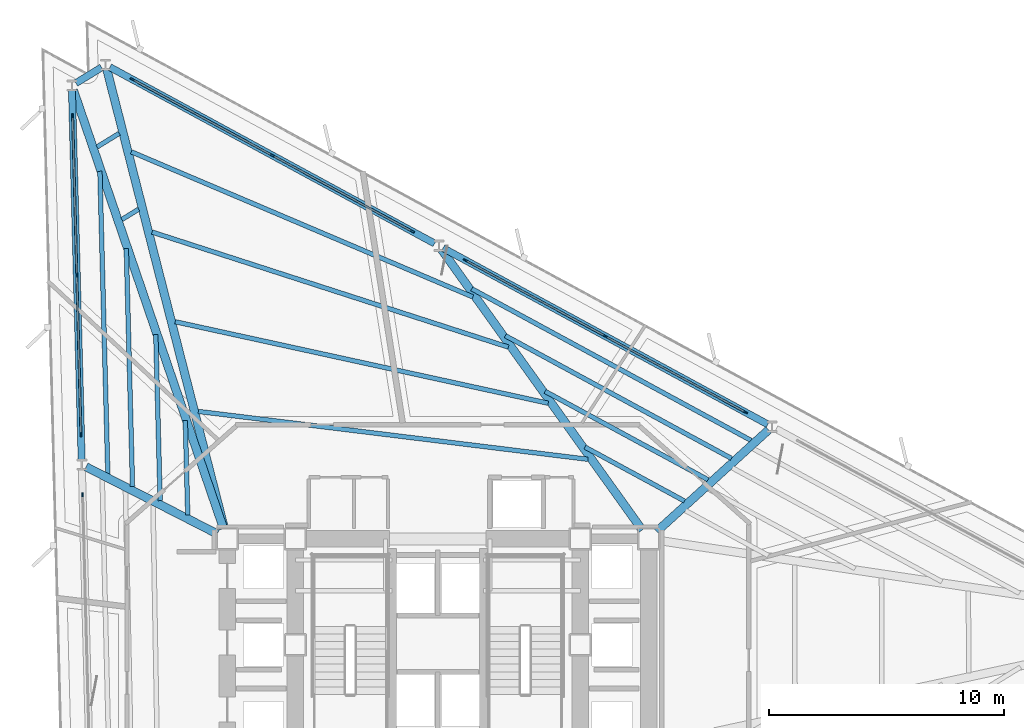
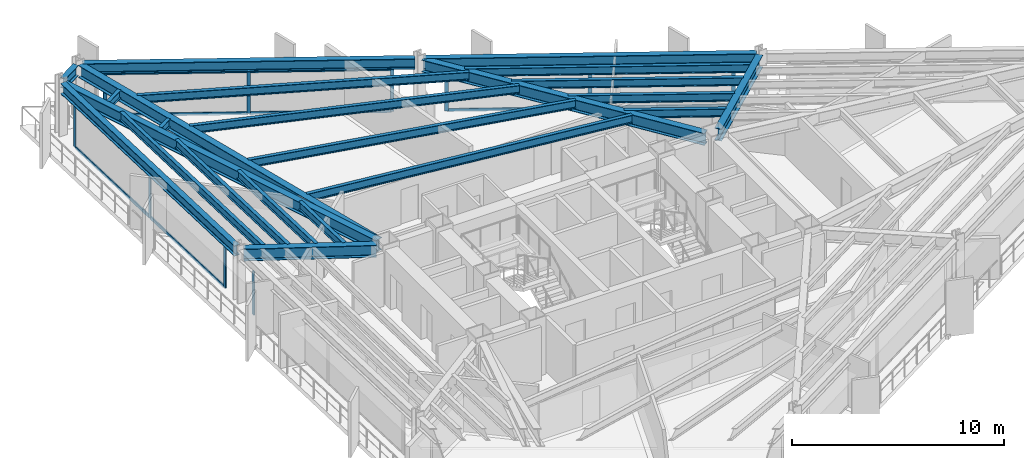
# One storey, part 5 of 14: 23 beams, 22 members, 4 elements without a shape of their own.
"""IFC4 building model written with IfcOpenShell, lengths in metres."""

from ifc_helpers import new_model, si_unit, direction, frame, origin, origin_2d, place, context, subcontext, project, spatial, rectangle, i_section, extrude, material, layer, layer_set, material_profile, profile_set, type_object, element, aggregate, save


model = new_model("IFC4")

# Units and contexts
model_context = context("Model", 3, precision=1e-05, world=origin(), true_north=direction((0.0, 1.0)))
body_context = subcontext(model_context, "Body", "Model", "MODEL_VIEW")
ifc_project = project(units=[si_unit("LENGTHUNIT", "METRE"), si_unit("AREAUNIT", "SQUARE_METRE"), si_unit("VOLUMEUNIT", "CUBIC_METRE"), si_unit("PLANEANGLEUNIT", "RADIAN"), si_unit("MASSUNIT", "GRAM", prefix="KILO")], contexts=[model_context])

# Site, building, storey
site_placement = place(None, origin())
site = spatial("IfcSite", under=ifc_project, at=site_placement, CompositionType="ELEMENT")
building_placement = place(site_placement, origin())
building = spatial("IfcBuilding", under=site, at=building_placement, Name="Rocaltana Carrier Exchange", CompositionType="ELEMENT")
storey_placement = place(building_placement, frame((0.0, 0.0, 35.679931640625)))
storey = spatial("IfcBuildingStorey", under=building, at=storey_placement, Name="L11", CompositionType="ELEMENT", Elevation=35.679931640625)

# Curtain wall, members
ifc_material_1 = material(Name="Aluminium 6063-T6", Category="aluminium")
ifc_layer = layer(ifc_material_1, 0.179931640625)
ifc_layer_set = layer_set([ifc_layer], Name="Aluminium 6063-T6")
curtain_wall_type = type_object("IfcCurtainWallType", Name="Sandstone Spandrel Unitised Curtain Wall CW-01", PredefinedType="NOTDEFINED", material=ifc_layer_set)
curtain_wall_1_placement = place(storey_placement, origin())
curtain_wall_1 = element("IfcCurtainWall", 1, at=curtain_wall_1_placement, inside=storey, type_object=curtain_wall_type, Name="L11 CW-01 Run CW-L11-F1S2", PredefinedType="NOTDEFINED")
ifc_material_2 = material(Name="Aluminium 6063-T6", Category="aluminium")
ifc_material_profile_1 = material_profile(ifc_material_2, rectangle(XDim=0.06494140625, YDim=0.179931640625, at=origin_2d()), Name="AL-65X180")
ifc_profile_set_1 = profile_set([ifc_material_profile_1], Name="Aluminium 6063-T6")
member_type_1 = type_object("IfcMemberType", Name="CW-01 Mullion AL-65X180", PredefinedType="MULLION", material=ifc_profile_set_1)
member_1_placement = place(storey_placement, frame((13.064697265625, 9.87890625, 0.0), z_axis=(0.0, 0.0, 1.0), x_axis=(-0.477164068636, -0.878814230428, 0.0)))
member_1 = element("IfcMember", 2, at=member_1_placement, type_object=member_type_1, Name="CW-01 mullion 1", PredefinedType="MULLION", context=body_context, shape_type="SweptSolid", body=[
    extrude(rectangle(XDim=0.06494140625, YDim=0.179931640625, at=origin_2d()), origin(), (0.0, 0.0, 1.0), 2.47802734375),
])
member_2_placement = place(storey_placement, frame((7.1171875, 13.108154296875, 0.0), z_axis=(0.0, 0.0, 1.0), x_axis=(-0.477164068636, -0.878814230428, 0.0)))
member_2 = element("IfcMember", 3, at=member_2_placement, type_object=member_type_1, Name="CW-01 mullion 2", PredefinedType="MULLION", context=body_context, shape_type="SweptSolid", body=[
    extrude(rectangle(XDim=0.06494140625, YDim=0.179931640625, at=origin_2d()), origin(), (0.0, 0.0, 1.0), 2.47802734375),
])
member_3_placement = place(storey_placement, frame((1.169677734375, 16.33740234375, 0.0), z_axis=(0.0, 0.0, 1.0), x_axis=(-0.477164068636, -0.878814230428, 0.0)))
member_3 = element("IfcMember", 4, at=member_3_placement, type_object=member_type_1, Name="CW-01 mullion 3", PredefinedType="MULLION", context=body_context, shape_type="SweptSolid", body=[
    extrude(rectangle(XDim=0.06494140625, YDim=0.179931640625, at=origin_2d()), origin(), (0.0, 0.0, 1.0), 2.47802734375),
])

curtain_wall_2_placement = place(storey_placement, origin())
curtain_wall_2 = element("IfcCurtainWall", 5, at=curtain_wall_2_placement, inside=storey, type_object=curtain_wall_type, Name="L11 CW-01 Run CW-L11-F1S3", PredefinedType="NOTDEFINED")
member_4_placement = place(storey_placement, frame((-1.08447265625, 17.5615234375, 0.0), z_axis=(0.0, 0.0, 1.0), x_axis=(-0.477155794406, -0.878818722982, 0.0)))
member_4 = element("IfcMember", 6, at=member_4_placement, type_object=member_type_1, Name="CW-01 mullion 1", PredefinedType="MULLION", context=body_context, shape_type="SweptSolid", body=[
    extrude(rectangle(XDim=0.06494140625, YDim=0.179931640625, at=origin_2d()), origin(), (0.0, 0.0, 1.0), 2.47802734375),
])
member_5_placement = place(storey_placement, frame((-7.03173828125, 20.79052734375, 0.0), z_axis=(0.0, 0.0, 1.0), x_axis=(-0.477155794406, -0.878818722982, 0.0)))
member_5 = element("IfcMember", 7, at=member_5_placement, type_object=member_type_1, Name="CW-01 mullion 2", PredefinedType="MULLION", context=body_context, shape_type="SweptSolid", body=[
    extrude(rectangle(XDim=0.06494140625, YDim=0.179931640625, at=origin_2d()), origin(), (0.0, 0.0, 1.0), 2.47802734375),
])
member_6_placement = place(storey_placement, frame((-12.979248046875, 24.019775390625, 0.0), z_axis=(0.0, 0.0, 1.0), x_axis=(-0.477155794406, -0.878818722982, 0.0)))
member_6 = element("IfcMember", 8, at=member_6_placement, type_object=member_type_1, Name="CW-01 mullion 3", PredefinedType="MULLION", context=body_context, shape_type="SweptSolid", body=[
    extrude(rectangle(XDim=0.06494140625, YDim=0.179931640625, at=origin_2d()), origin(), (0.0, 0.0, 1.0), 2.47802734375),
])

curtain_wall_3_placement = place(storey_placement, origin())
curtain_wall_3 = element("IfcCurtainWall", 9, at=curtain_wall_3_placement, inside=storey, type_object=curtain_wall_type, Name="L11 CW-01 Run CW-L11-F2S1", PredefinedType="NOTDEFINED")
member_7_placement = place(storey_placement, frame((-15.50927734375, 22.46923828125, 0.0), z_axis=(0.0, 0.0, 1.0), x_axis=(0.999657143044, 0.026183895077, 0.0)))
member_7 = element("IfcMember", 10, at=member_7_placement, type_object=member_type_1, Name="CW-01 mullion 1", PredefinedType="MULLION", context=body_context, shape_type="SweptSolid", body=[
    extrude(rectangle(XDim=0.06494140625, YDim=0.179931640625, at=origin_2d()), origin(), (0.0, 0.0, 1.0), 2.47802734375),
])
member_8_placement = place(storey_placement, frame((-15.33203125, 15.7041015625, 0.0), z_axis=(0.0, 0.0, 1.0), x_axis=(0.999657143044, 0.026183895077, 0.0)))
member_8 = element("IfcMember", 11, at=member_8_placement, type_object=member_type_1, Name="CW-01 mullion 2", PredefinedType="MULLION", context=body_context, shape_type="SweptSolid", body=[
    extrude(rectangle(XDim=0.06494140625, YDim=0.179931640625, at=origin_2d()), origin(), (0.0, 0.0, 1.0), 2.47802734375),
])
member_9_placement = place(storey_placement, frame((-15.155029296875, 8.93896484375, 0.0), z_axis=(0.0, 0.0, 1.0), x_axis=(0.999657143044, 0.026183895077, 0.0)))
member_9 = element("IfcMember", 12, at=member_9_placement, type_object=member_type_1, Name="CW-01 mullion 3", PredefinedType="MULLION", context=body_context, shape_type="SweptSolid", body=[
    extrude(rectangle(XDim=0.06494140625, YDim=0.179931640625, at=origin_2d()), origin(), (0.0, 0.0, 1.0), 2.47802734375),
])

# Curtain wall, member
curtain_wall_4_placement = place(storey_placement, origin())
curtain_wall_4 = element("IfcCurtainWall", 13, at=curtain_wall_4_placement, inside=storey, type_object=curtain_wall_type, Name="L11 CW-01 Run CW-L11-F2S2", PredefinedType="NOTDEFINED")
member_10_placement = place(storey_placement, frame((-15.087890625, 6.374755859375, 0.0), z_axis=(0.0, 0.0, 1.0), x_axis=(0.99965733548, 0.026176547142, 0.0)))
member_10 = element("IfcMember", 14, at=member_10_placement, type_object=member_type_1, Name="CW-01 mullion 1", PredefinedType="MULLION", context=body_context, shape_type="SweptSolid", body=[
    extrude(rectangle(XDim=0.06494140625, YDim=0.179931640625, at=origin_2d()), origin(), (0.0, 0.0, 1.0), 2.47802734375),
])
aggregate(curtain_wall_4, [member_10])

# Member
ifc_material_3 = material(Name="Aluminium 6063-T6", Category="aluminium")
ifc_material_profile_2 = material_profile(ifc_material_3, rectangle(XDim=0.06494140625, YDim=0.179931640625, at=origin_2d()), Name="AL-65X180")
ifc_profile_set_2 = profile_set([ifc_material_profile_2], Name="Aluminium 6063-T6")
member_type_2 = type_object("IfcMemberType", Name="CW-01 Transom AL-65X180", PredefinedType="USERDEFINED", material=ifc_profile_set_2)
member_11_placement = place(storey_placement, frame((13.0361328125, 9.89453125, 0.032470703125), z_axis=(-0.878815465576, 0.477161793802, 0.0), x_axis=(-0.477161793802, -0.878815465576, 0.0)))
member_11 = element("IfcMember", 15, at=member_11_placement, type_object=member_type_2, Name="CW-01 transom 1.1", ObjectType="TRANSOM", PredefinedType="USERDEFINED", context=body_context, shape_type="SweptSolid", body=[
    extrude(rectangle(XDim=0.06494140625, YDim=0.179931640625, at=origin_2d()), origin(), (0.0, 0.0, 1.0), 6.70263671875),
])

member_12_placement = place(storey_placement, frame((13.0361328125, 9.89453125, 2.445556640625), z_axis=(-0.878815465576, 0.477161793802, 0.0), x_axis=(-0.477161793802, -0.878815465576, 0.0)))
member_12 = element("IfcMember", 16, at=member_12_placement, type_object=member_type_2, Name="CW-01 transom 1.2", ObjectType="TRANSOM", PredefinedType="USERDEFINED", context=body_context, shape_type="SweptSolid", body=[
    extrude(rectangle(XDim=0.06494140625, YDim=0.179931640625, at=origin_2d()), origin(), (0.0, 0.0, 1.0), 6.70263671875),
])

member_13_placement = place(storey_placement, frame((7.088623046875, 13.123779296875, 0.032470703125), z_axis=(-0.878815465576, 0.477161793802, 0.0), x_axis=(-0.477161793802, -0.878815465576, 0.0)))
member_13 = element("IfcMember", 17, at=member_13_placement, type_object=member_type_2, Name="CW-01 transom 2.1", ObjectType="TRANSOM", PredefinedType="USERDEFINED", context=body_context, shape_type="SweptSolid", body=[
    extrude(rectangle(XDim=0.06494140625, YDim=0.179931640625, at=origin_2d()), origin(), (0.0, 0.0, 1.0), 6.70263671875),
])

member_14_placement = place(storey_placement, frame((7.088623046875, 13.123779296875, 2.445556640625), z_axis=(-0.878815465576, 0.477161793802, 0.0), x_axis=(-0.477161793802, -0.878815465576, 0.0)))
member_14 = element("IfcMember", 18, at=member_14_placement, type_object=member_type_2, Name="CW-01 transom 2.2", ObjectType="TRANSOM", PredefinedType="USERDEFINED", context=body_context, shape_type="SweptSolid", body=[
    extrude(rectangle(XDim=0.06494140625, YDim=0.179931640625, at=origin_2d()), origin(), (0.0, 0.0, 1.0), 6.70263671875),
])

aggregate(curtain_wall_1, [member_1, member_2, member_3, member_11, member_12, member_13, member_14])

member_15_placement = place(storey_placement, frame((-1.113037109375, 17.576904296875, 0.032470703125), z_axis=(-0.87880717191, 0.477177068392, 0.0), x_axis=(-0.477177068392, -0.87880717191, 0.0)))
member_15 = element("IfcMember", 19, at=member_15_placement, type_object=member_type_2, Name="CW-01 transom 1.1", ObjectType="TRANSOM", PredefinedType="USERDEFINED", context=body_context, shape_type="SweptSolid", body=[
    extrude(rectangle(XDim=0.06494140625, YDim=0.179931640625, at=origin_2d()), origin(), (0.0, 0.0, 1.0), 6.702392578125),
])

member_16_placement = place(storey_placement, frame((-1.113037109375, 17.576904296875, 2.445556640625), z_axis=(-0.87880717191, 0.477177068392, 0.0), x_axis=(-0.477177068392, -0.87880717191, 0.0)))
member_16 = element("IfcMember", 20, at=member_16_placement, type_object=member_type_2, Name="CW-01 transom 1.2", ObjectType="TRANSOM", PredefinedType="USERDEFINED", context=body_context, shape_type="SweptSolid", body=[
    extrude(rectangle(XDim=0.06494140625, YDim=0.179931640625, at=origin_2d()), origin(), (0.0, 0.0, 1.0), 6.702392578125),
])

member_17_placement = place(storey_placement, frame((-7.060302734375, 20.80615234375, 0.032470703125), z_axis=(-0.878830739565, 0.477133661772, 0.0), x_axis=(-0.477133661772, -0.878830739565, 0.0)))
member_17 = element("IfcMember", 21, at=member_17_placement, type_object=member_type_2, Name="CW-01 transom 2.1", ObjectType="TRANSOM", PredefinedType="USERDEFINED", context=body_context, shape_type="SweptSolid", body=[
    extrude(rectangle(XDim=0.06494140625, YDim=0.179931640625, at=origin_2d()), origin(), (0.0, 0.0, 1.0), 6.70263671875),
])

member_18_placement = place(storey_placement, frame((-7.060302734375, 20.80615234375, 2.445556640625), z_axis=(-0.878830739565, 0.477133661772, 0.0), x_axis=(-0.477133661772, -0.878830739565, 0.0)))
member_18 = element("IfcMember", 22, at=member_18_placement, type_object=member_type_2, Name="CW-01 transom 2.2", ObjectType="TRANSOM", PredefinedType="USERDEFINED", context=body_context, shape_type="SweptSolid", body=[
    extrude(rectangle(XDim=0.06494140625, YDim=0.179931640625, at=origin_2d()), origin(), (0.0, 0.0, 1.0), 6.70263671875),
])

aggregate(curtain_wall_2, [member_4, member_5, member_6, member_15, member_16, member_17, member_18])

member_19_placement = place(storey_placement, frame((-15.508544921875, 22.436767578125, 0.032470703125), z_axis=(0.026189818331, -0.999656987879, 0.0), x_axis=(0.999656987879, 0.026189818331, 0.0)))
member_19 = element("IfcMember", 23, at=member_19_placement, type_object=member_type_2, Name="CW-01 transom 1.1", ObjectType="TRANSOM", PredefinedType="USERDEFINED", context=body_context, shape_type="SweptSolid", body=[
    extrude(rectangle(XDim=0.06494140625, YDim=0.179931640625, at=origin_2d()), origin(), (0.0, 0.0, 1.0), 6.702392578125),
])

member_20_placement = place(storey_placement, frame((-15.508544921875, 22.436767578125, 2.445556640625), z_axis=(0.026189818331, -0.999656987879, 0.0), x_axis=(0.999656987879, 0.026189818331, 0.0)))
member_20 = element("IfcMember", 24, at=member_20_placement, type_object=member_type_2, Name="CW-01 transom 1.2", ObjectType="TRANSOM", PredefinedType="USERDEFINED", context=body_context, shape_type="SweptSolid", body=[
    extrude(rectangle(XDim=0.06494140625, YDim=0.179931640625, at=origin_2d()), origin(), (0.0, 0.0, 1.0), 6.702392578125),
])

member_21_placement = place(storey_placement, frame((-15.331298828125, 15.671630859375, 0.032470703125), z_axis=(0.026189818331, -0.999656987879, 0.0), x_axis=(0.999656987879, 0.026189818331, 0.0)))
member_21 = element("IfcMember", 25, at=member_21_placement, type_object=member_type_2, Name="CW-01 transom 2.1", ObjectType="TRANSOM", PredefinedType="USERDEFINED", context=body_context, shape_type="SweptSolid", body=[
    extrude(rectangle(XDim=0.06494140625, YDim=0.179931640625, at=origin_2d()), origin(), (0.0, 0.0, 1.0), 6.702392578125),
])

member_22_placement = place(storey_placement, frame((-15.331298828125, 15.671630859375, 2.445556640625), z_axis=(0.026189818331, -0.999656987879, 0.0), x_axis=(0.999656987879, 0.026189818331, 0.0)))
member_22 = element("IfcMember", 26, at=member_22_placement, type_object=member_type_2, Name="CW-01 transom 2.2", ObjectType="TRANSOM", PredefinedType="USERDEFINED", context=body_context, shape_type="SweptSolid", body=[
    extrude(rectangle(XDim=0.06494140625, YDim=0.179931640625, at=origin_2d()), origin(), (0.0, 0.0, 1.0), 6.702392578125),
])

aggregate(curtain_wall_3, [member_7, member_8, member_9, member_19, member_20, member_21, member_22])

# Beams
ifc_material_4 = material(Name="Steel S355", Category="steel")
ifc_material_profile_3 = material_profile(ifc_material_4, i_section(OverallWidth=0.193115234375, OverallDepth=0.466064453125, WebThickness=0.011474609375, FlangeThickness=0.01904296875, FilletRadius=0.013916015625, at=origin_2d()), Name="W18X65")
ifc_profile_set_3 = profile_set([ifc_material_profile_3], Name="Steel S355")
beam_type_1 = type_object("IfcBeamType", Name="Floor Joist W18X65", PredefinedType="JOIST", material=ifc_profile_set_3)
beam_1_placement = place(storey_placement, frame((10.4765625, 6.107421875, 2.864990234375), z_axis=(-0.87880781256, 0.477175888518, 0.0), x_axis=(-0.477175888518, -0.87880781256, 0.0)))
element("IfcBeam", 27, at=beam_1_placement, inside=storey, type_object=beam_type_1, Name="FJ-L11-02-1", PredefinedType="JOIST", context=body_context, shape_type="SweptSolid", body=[
    extrude(i_section(OverallWidth=0.193115234375, OverallDepth=0.466064453125, WebThickness=0.011474609375, FlangeThickness=0.01904296875, FilletRadius=0.013916015625, at=origin_2d()), origin(), (0.0, 0.0, 1.0), 4.808837890625),
])
beam_2_placement = place(storey_placement, frame((11.472412109375, 7.01318359375, 2.864990234375), z_axis=(-0.878817742056, 0.477157601059, 0.0), x_axis=(-0.477157601059, -0.878817742056, 0.0)))
element("IfcBeam", 28, at=beam_2_placement, inside=storey, type_object=beam_type_1, Name="FJ-L11-02-2", PredefinedType="JOIST", context=body_context, shape_type="SweptSolid", body=[
    extrude(i_section(OverallWidth=0.193115234375, OverallDepth=0.466064453125, WebThickness=0.011474609375, FlangeThickness=0.01904296875, FilletRadius=0.013916015625, at=origin_2d()), origin(), (0.0, 0.0, 1.0), 7.86767578125),
])
beam_3_placement = place(storey_placement, frame((12.468505859375, 7.918701171875, 2.864990234375), z_axis=(-0.878813547662, 0.477165326115, 0.0), x_axis=(-0.477165326115, -0.878813547662, 0.0)))
element("IfcBeam", 29, at=beam_3_placement, inside=storey, type_object=beam_type_1, Name="FJ-L11-02-3", PredefinedType="JOIST", context=body_context, shape_type="SweptSolid", body=[
    extrude(i_section(OverallWidth=0.193115234375, OverallDepth=0.466064453125, WebThickness=0.011474609375, FlangeThickness=0.01904296875, FilletRadius=0.013916015625, at=origin_2d()), origin(), (0.0, 0.0, 1.0), 10.92724609375),
])
beam_4_placement = place(storey_placement, frame((13.30712890625, 8.681396484375, 2.864990234375), z_axis=(-0.878808808583, 0.477174054152, 0.0), x_axis=(-0.477174054152, -0.878808808583, 0.0)))
element("IfcBeam", 30, at=beam_4_placement, inside=storey, type_object=beam_type_1, Name="FJ-L11-02-4", PredefinedType="JOIST", context=body_context, shape_type="SweptSolid", body=[
    extrude(i_section(OverallWidth=0.193115234375, OverallDepth=0.466064453125, WebThickness=0.011474609375, FlangeThickness=0.01904296875, FilletRadius=0.013916015625, at=origin_2d()), origin(), (0.0, 0.0, 1.0), 13.503173828125),
])
beam_5_placement = place(storey_placement, frame((6.374755859375, 7.882080078125, 2.864990234375), z_axis=(-0.992538792143, 0.121929266752, 0.0), x_axis=(-0.121929266752, -0.992538792143, 0.0)))
element("IfcBeam", 31, at=beam_5_placement, inside=storey, type_object=beam_type_1, Name="FJ-L11-03-1", PredefinedType="JOIST", context=body_context, shape_type="SweptSolid", body=[
    extrude(i_section(OverallWidth=0.193115234375, OverallDepth=0.466064453125, WebThickness=0.011474609375, FlangeThickness=0.01904296875, FilletRadius=0.013916015625, at=origin_2d()), origin(), (0.0, 0.0, 1.0), 16.671142578125),
])
beam_6_placement = place(storey_placement, frame((4.68505859375, 10.26318359375, 2.864990234375), z_axis=(-0.976950483749, 0.213466044848, 0.0), x_axis=(-0.213466044848, -0.976950483749, 0.0)))
element("IfcBeam", 32, at=beam_6_placement, inside=storey, type_object=beam_type_1, Name="FJ-L11-03-2", PredefinedType="JOIST", context=body_context, shape_type="SweptSolid", body=[
    extrude(i_section(OverallWidth=0.193115234375, OverallDepth=0.466064453125, WebThickness=0.011474609375, FlangeThickness=0.01904296875, FilletRadius=0.013916015625, at=origin_2d()), origin(), (0.0, 0.0, 1.0), 16.213134765625),
])
beam_7_placement = place(storey_placement, frame((2.9970703125, 12.644775390625, 2.864990234375), z_axis=(-0.951601211607, 0.307335539872, 0.0), x_axis=(-0.307335539872, -0.951601211607, 0.0)))
element("IfcBeam", 33, at=beam_7_placement, inside=storey, type_object=beam_type_1, Name="FJ-L11-03-3", PredefinedType="JOIST", context=body_context, shape_type="SweptSolid", body=[
    extrude(i_section(OverallWidth=0.193115234375, OverallDepth=0.466064453125, WebThickness=0.011474609375, FlangeThickness=0.01904296875, FilletRadius=0.013916015625, at=origin_2d()), origin(), (0.0, 0.0, 1.0), 15.905029296875),
])
beam_8_placement = place(storey_placement, frame((1.48828125, 14.775634765625, 2.864990234375), z_axis=(-0.920350290518, 0.391095055891, 0.0), x_axis=(-0.391095055891, -0.920350290518, 0.0)))
element("IfcBeam", 34, at=beam_8_placement, inside=storey, type_object=beam_type_1, Name="FJ-L11-03-4", PredefinedType="JOIST", context=body_context, shape_type="SweptSolid", body=[
    extrude(i_section(OverallWidth=0.193115234375, OverallDepth=0.466064453125, WebThickness=0.011474609375, FlangeThickness=0.01904296875, FilletRadius=0.013916015625, at=origin_2d()), origin(), (0.0, 0.0, 1.0), 15.76416015625),
])
beam_9_placement = place(storey_placement, frame((-12.70556640625, 18.502685546875, 2.864990234375), z_axis=(-0.852508958132, -0.522712613493, 0.0), x_axis=(0.522712613493, -0.852508958132, 0.0)))
element("IfcBeam", 35, at=beam_9_placement, inside=storey, type_object=beam_type_1, Name="FJ-L11-04-3", PredefinedType="JOIST", context=body_context, shape_type="SweptSolid", body=[
    extrude(i_section(OverallWidth=0.193115234375, OverallDepth=0.466064453125, WebThickness=0.011474609375, FlangeThickness=0.01904296875, FilletRadius=0.013916015625, at=origin_2d()), origin(), (0.0, 0.0, 1.0), 0.83642578125),
])
beam_10_placement = place(storey_placement, frame((-13.530517578125, 21.7236328125, 2.864990234375), z_axis=(-0.852664692341, -0.52245853657, 0.0), x_axis=(0.52245853657, -0.852664692341, 0.0)))
element("IfcBeam", 36, at=beam_10_placement, inside=storey, type_object=beam_type_1, Name="FJ-L11-04-4", PredefinedType="JOIST", context=body_context, shape_type="SweptSolid", body=[
    extrude(i_section(OverallWidth=0.193115234375, OverallDepth=0.466064453125, WebThickness=0.011474609375, FlangeThickness=0.01904296875, FilletRadius=0.013916015625, at=origin_2d()), origin(), (0.0, 0.0, 1.0), 1.106201171875),
])
beam_11_placement = place(storey_placement, frame((-10.7255859375, 9.5263671875, 2.864990234375), z_axis=(0.02615756085, -0.999657832466, 0.0), x_axis=(0.999657832466, 0.02615756085, 0.0)))
element("IfcBeam", 37, at=beam_11_placement, inside=storey, type_object=beam_type_1, Name="FJ-L11-05-1", PredefinedType="JOIST", context=body_context, shape_type="SweptSolid", body=[
    extrude(i_section(OverallWidth=0.193115234375, OverallDepth=0.466064453125, WebThickness=0.011474609375, FlangeThickness=0.01904296875, FilletRadius=0.013916015625, at=origin_2d()), origin(), (0.0, 0.0, 1.0), 4.004150390625),
])
beam_12_placement = place(storey_placement, frame((-11.978271484375, 13.18408203125, 2.864990234375), z_axis=(0.026201236861, -0.999656688662, 0.0), x_axis=(0.999656688662, 0.026201236861, 0.0)))
element("IfcBeam", 38, at=beam_12_placement, inside=storey, type_object=beam_type_1, Name="FJ-L11-05-2", PredefinedType="JOIST", context=body_context, shape_type="SweptSolid", body=[
    extrude(i_section(OverallWidth=0.193115234375, OverallDepth=0.466064453125, WebThickness=0.011474609375, FlangeThickness=0.01904296875, FilletRadius=0.013916015625, at=origin_2d()), origin(), (0.0, 0.0, 1.0), 7.06298828125),
])
beam_13_placement = place(storey_placement, frame((-13.23095703125, 16.841796875, 2.864990234375), z_axis=(0.026194410862, -0.99965686755, 0.0), x_axis=(0.99965686755, 0.026194410862, 0.0)))
element("IfcBeam", 39, at=beam_13_placement, inside=storey, type_object=beam_type_1, Name="FJ-L11-05-3", PredefinedType="JOIST", context=body_context, shape_type="SweptSolid", body=[
    extrude(i_section(OverallWidth=0.193115234375, OverallDepth=0.466064453125, WebThickness=0.011474609375, FlangeThickness=0.01904296875, FilletRadius=0.013916015625, at=origin_2d()), origin(), (0.0, 0.0, 1.0), 10.121826171875),
])
beam_14_placement = place(storey_placement, frame((-14.351806640625, 20.114501953125, 2.864990234375), z_axis=(0.026200832731, -0.999656699254, 0.0), x_axis=(0.999656699254, 0.026200832731, 0.0)))
element("IfcBeam", 40, at=beam_14_placement, inside=storey, type_object=beam_type_1, Name="FJ-L11-05-4", PredefinedType="JOIST", context=body_context, shape_type="SweptSolid", body=[
    extrude(i_section(OverallWidth=0.193115234375, OverallDepth=0.466064453125, WebThickness=0.011474609375, FlangeThickness=0.01904296875, FilletRadius=0.013916015625, at=origin_2d()), origin(), (0.0, 0.0, 1.0), 12.85888671875),
])
ifc_material_5 = material(Name="Steel S355", Category="steel")
ifc_material_profile_4 = material_profile(ifc_material_5, i_section(OverallWidth=0.35498046875, OverallDepth=0.695068359375, WebThickness=0.015380859375, FlangeThickness=0.02490234375, FilletRadius=0.01806640625, at=origin_2d()), Name="W27X146")
ifc_profile_set_4 = profile_set([ifc_material_profile_4], Name="Steel S355")
beam_type_2 = type_object("IfcBeamType", Name="Radial Girder W27X146", PredefinedType="BEAM", material=ifc_profile_set_4)
beam_15_placement = place(storey_placement, frame((9.29541015625, 4.814208984375, 2.75048828125), z_axis=(0.739807445463, 0.672818655834, 0.0), x_axis=(-0.672818655834, 0.739807445463, 0.0)))
element("IfcBeam", 41, at=beam_15_placement, inside=storey, type_object=beam_type_2, Name="RG-L11-02", PredefinedType="BEAM", context=body_context, shape_type="SweptSolid", body=[
    extrude(i_section(OverallWidth=0.35498046875, OverallDepth=0.695068359375, WebThickness=0.015380859375, FlangeThickness=0.02490234375, FilletRadius=0.01806640625, at=origin_2d()), origin(), (0.0, 0.0, 1.0), 6.414306640625),
])
beam_16_placement = place(storey_placement, frame((8.67822265625, 4.8798828125, 2.75048828125), z_axis=(-0.581884927031, 0.813271130493, 0.0), x_axis=(-0.813271130493, -0.581884927031, 0.0)))
element("IfcBeam", 42, at=beam_16_placement, inside=storey, type_object=beam_type_2, Name="RG-L11-03", PredefinedType="BEAM", context=body_context, shape_type="SweptSolid", body=[
    extrude(i_section(OverallWidth=0.35498046875, OverallDepth=0.695068359375, WebThickness=0.015380859375, FlangeThickness=0.02490234375, FilletRadius=0.01806640625, at=origin_2d()), origin(), (0.0, 0.0, 1.0), 14.63671875),
])
beam_17_placement = place(storey_placement, frame((-9.06591796875, 4.952392578125, 2.75048828125), z_axis=(-0.248115976649, 0.968730335094, 0.0), x_axis=(-0.968730335094, -0.248115976649, 0.0)))
element("IfcBeam", 43, at=beam_17_placement, inside=storey, type_object=beam_type_2, Name="RG-L11-04", PredefinedType="BEAM", context=body_context, shape_type="SweptSolid", body=[
    extrude(i_section(OverallWidth=0.35498046875, OverallDepth=0.695068359375, WebThickness=0.015380859375, FlangeThickness=0.02490234375, FilletRadius=0.01806640625, at=origin_2d()), origin(), (0.0, 0.0, 1.0), 20.110595703125),
])
beam_18_placement = place(storey_placement, frame((-9.101318359375, 4.94189453125, 2.75048828125), z_axis=(-0.323992518523, 0.946059642909, 0.0), x_axis=(-0.946059642909, -0.323992518523, 0.0)))
element("IfcBeam", 44, at=beam_18_placement, inside=storey, type_object=beam_type_2, Name="RG-L11-05", PredefinedType="BEAM", context=body_context, shape_type="SweptSolid", body=[
    extrude(i_section(OverallWidth=0.35498046875, OverallDepth=0.695068359375, WebThickness=0.015380859375, FlangeThickness=0.02490234375, FilletRadius=0.01806640625, at=origin_2d()), origin(), (0.0, 0.0, 1.0), 19.677978515625),
])
beam_19_placement = place(storey_placement, frame((-9.36572265625, 4.712646484375, 2.75048828125), z_axis=(-0.890279416512, 0.455414712691, 0.0), x_axis=(-0.455414712691, -0.890279416512, 0.0)))
element("IfcBeam", 45, at=beam_19_placement, inside=storey, type_object=beam_type_2, Name="RG-L11-06", PredefinedType="BEAM", context=body_context, shape_type="SweptSolid", body=[
    extrude(i_section(OverallWidth=0.35498046875, OverallDepth=0.695068359375, WebThickness=0.015380859375, FlangeThickness=0.02490234375, FilletRadius=0.01806640625, at=origin_2d()), origin(), (0.0, 0.0, 1.0), 6.260986328125),
])
ifc_material_6 = material(Name="Steel S355", Category="steel")
ifc_material_profile_5 = material_profile(ifc_material_6, i_section(OverallWidth=0.300048828125, OverallDepth=0.60009765625, WebThickness=0.015380859375, FlangeThickness=0.030029296875, FilletRadius=0.027099609375, at=origin_2d()), Name="HEB600")
ifc_profile_set_5 = profile_set([ifc_material_profile_5], Name="Steel S355")
beam_type_3 = type_object("IfcBeamType", Name="Spandrel Edge Beam HEB600", PredefinedType="SPANDREL", material=ifc_profile_set_5)
beam_20_placement = place(storey_placement, frame((14.012451171875, 9.364501953125, 2.798095703125), z_axis=(-0.878819693906, 0.477154006168, 0.0), x_axis=(-0.477154006168, -0.878819693906, 0.0)))
element("IfcBeam", 46, at=beam_20_placement, inside=storey, type_object=beam_type_3, Name="SP-L11-02", PredefinedType="SPANDREL", context=body_context, shape_type="SweptSolid", body=[
    extrude(i_section(OverallWidth=0.300048828125, OverallDepth=0.60009765625, WebThickness=0.015380859375, FlangeThickness=0.030029296875, FilletRadius=0.027099609375, at=origin_2d()), origin(), (0.0, 0.0, 1.0), 15.692138671875),
])
beam_21_placement = place(storey_placement, frame((-0.13671875, 17.046630859375, 2.798095703125), z_axis=(-0.878809627373, 0.47717254619, 0.0), x_axis=(-0.47717254619, -0.878809627373, 0.0)))
element("IfcBeam", 47, at=beam_21_placement, inside=storey, type_object=beam_type_3, Name="SP-L11-03", PredefinedType="SPANDREL", context=body_context, shape_type="SweptSolid", body=[
    extrude(i_section(OverallWidth=0.300048828125, OverallDepth=0.60009765625, WebThickness=0.015380859375, FlangeThickness=0.030029296875, FilletRadius=0.027099609375, at=origin_2d()), origin(), (0.0, 0.0, 1.0), 15.69189453125),
])
beam_22_placement = place(storey_placement, frame((-14.280029296875, 24.525146484375, 2.798095703125), z_axis=(-0.852647958585, -0.522485845474, 0.0), x_axis=(0.522485845474, -0.852647958585, 0.0)))
element("IfcBeam", 48, at=beam_22_placement, inside=storey, type_object=beam_type_3, Name="SP-L11-04", PredefinedType="SPANDREL", context=body_context, shape_type="SweptSolid", body=[
    extrude(i_section(OverallWidth=0.300048828125, OverallDepth=0.60009765625, WebThickness=0.015380859375, FlangeThickness=0.030029296875, FilletRadius=0.027099609375, at=origin_2d()), origin(), (0.0, 0.0, 1.0), 1.277099609375),
])
beam_23_placement = place(storey_placement, frame((-15.53759765625, 23.54736328125, 2.798095703125), z_axis=(0.026184348618, -0.999657131164, 0.0), x_axis=(0.999657131164, 0.026184348618, 0.0)))
element("IfcBeam", 49, at=beam_23_placement, inside=storey, type_object=beam_type_3, Name="SP-L11-05", PredefinedType="SPANDREL", context=body_context, shape_type="SweptSolid", body=[
    extrude(i_section(OverallWidth=0.300048828125, OverallDepth=0.60009765625, WebThickness=0.015380859375, FlangeThickness=0.030029296875, FilletRadius=0.027099609375, at=origin_2d()), origin(), (0.0, 0.0, 1.0), 15.692138671875),
])

save(model, "model.ifc")
